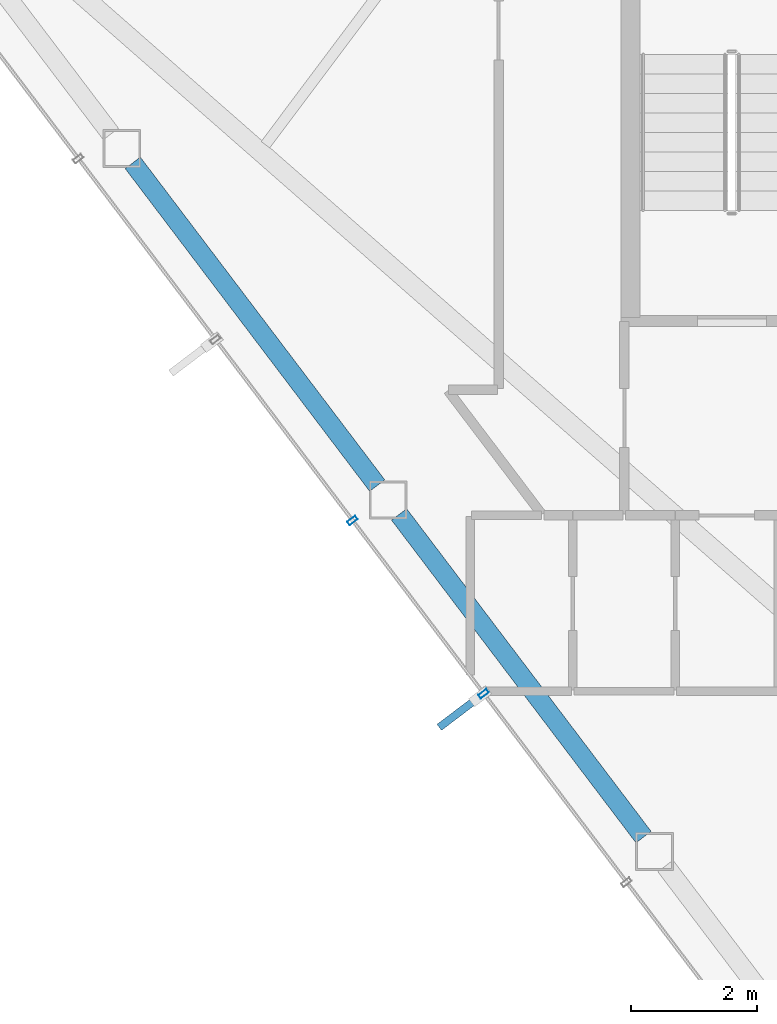
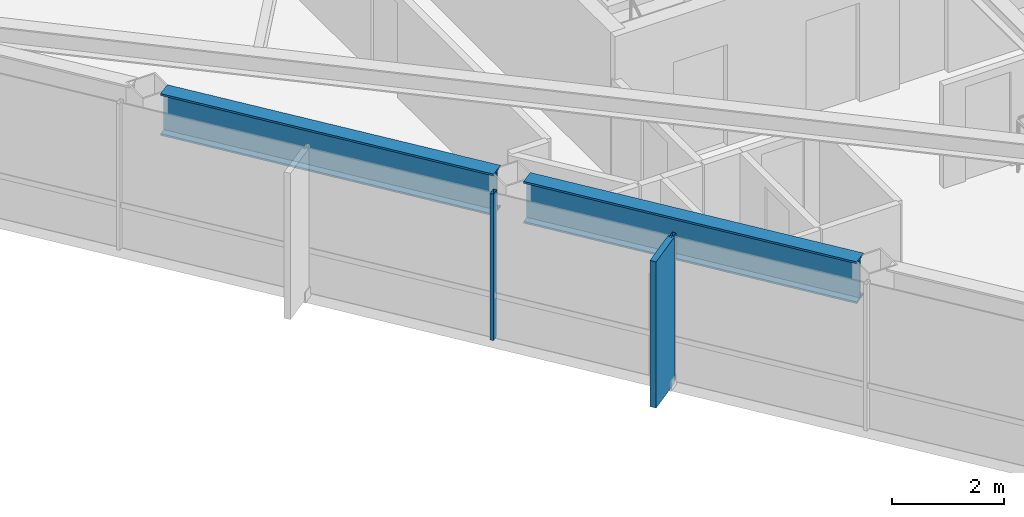
# One storey, part 3 of 25: 3 members, 2 beams, 1 element without a shape of its own.
"""IFC4 building model written with IfcOpenShell, lengths in metres."""

from ifc_helpers import new_model, si_unit, direction, frame, origin, origin_2d, place, context, subcontext, project, spatial, rectangle, hollow_rectangle, i_section, extrude, material, layer, layer_set, material_profile, profile_set, type_object, element, aggregate, save


model = new_model("IFC4")

# Units and contexts
model_context = context("Model", 3, precision=1e-05, world=origin(), true_north=direction((0.0, 1.0)))
body_context = subcontext(model_context, "Body", "Model", "MODEL_VIEW")
ifc_project = project(units=[si_unit("LENGTHUNIT", "METRE"), si_unit("AREAUNIT", "SQUARE_METRE"), si_unit("VOLUMEUNIT", "CUBIC_METRE"), si_unit("PLANEANGLEUNIT", "RADIAN"), si_unit("MASSUNIT", "GRAM", prefix="KILO")], contexts=[model_context])

# Site, building, storey
site_placement = place(None, origin())
site = spatial("IfcSite", under=ifc_project, at=site_placement, CompositionType="ELEMENT")
building_placement = place(site_placement, origin())
building = spatial("IfcBuilding", under=site, at=building_placement, Name="Zarrinselat Tower", CompositionType="ELEMENT")
storey_placement = place(building_placement, frame((0.0, 0.0, 242.760009765625)))
storey = spatial("IfcBuildingStorey", under=building, at=storey_placement, Name="L61", CompositionType="ELEMENT", Elevation=242.760009765625)

# Beams
ifc_material_1 = material(Name="Steel S460M", Category="steel")
ifc_material_profile_1 = material_profile(ifc_material_1, i_section(OverallWidth=0.302001953125, OverallDepth=0.909912109375, WebThickness=0.02099609375, FlangeThickness=0.0400390625, at=origin_2d()), Name="HEM 900")
ifc_profile_set_1 = profile_set([ifc_material_profile_1], Name="Steel S460M")
beam_type = type_object("IfcBeamType", Name="BM-HEM900", PredefinedType="BEAM", material=ifc_profile_set_1)
beam_1_placement = place(storey_placement, frame((20.732421875, 35.75537109375, 2.72509765625), z_axis=(0.603870099969, -0.797082744992, 0.0), x_axis=(0.797082744992, 0.603870099969, 0.0)))
element("IfcBeam", 1, at=beam_1_placement, inside=storey, type_object=beam_type, Name="L61 Perimeter Spandrel Girder SP07", PredefinedType="BEAM", context=body_context, shape_type="SweptSolid", body=[
    extrude(i_section(OverallWidth=0.302001953125, OverallDepth=0.909912109375, WebThickness=0.02099609375, FlangeThickness=0.0400390625, at=origin_2d()), origin(), (0.0, 0.0, 1.0), 6.43798828125),
])
beam_2_placement = place(storey_placement, frame((24.968017578125, 30.16455078125, 2.72509765625), z_axis=(0.603864259408, -0.797087169769, 0.0), x_axis=(0.797087169769, 0.603864259408, 0.0)))
element("IfcBeam", 2, at=beam_2_placement, inside=storey, type_object=beam_type, Name="L61 Perimeter Spandrel Girder SP08", PredefinedType="BEAM", context=body_context, shape_type="SweptSolid", body=[
    extrude(i_section(OverallWidth=0.302001953125, OverallDepth=0.909912109375, WebThickness=0.02099609375, FlangeThickness=0.0400390625, at=origin_2d()), origin(), (0.0, 0.0, 1.0), 6.437744140625),
])

# Curtain wall, members
ifc_material_2 = material(Name="Extruded Aluminium Alloy EN AW-6063 T6", Category="aluminium")
ifc_layer = layer(ifc_material_2, 0.169921875)
ifc_layer_set = layer_set([ifc_layer], Name="Extruded Aluminium Alloy EN AW-6063 T6")
curtain_wall_type = type_object("IfcCurtainWallType", Name="CWS-RES", PredefinedType="NOTDEFINED", material=ifc_layer_set)
curtain_wall_placement = place(storey_placement, origin())
curtain_wall = element("IfcCurtainWall", 3, at=curtain_wall_placement, inside=storey, type_object=curtain_wall_type, Name="L61 Unitised Curtain Wall CW-L61-E03", PredefinedType="NOTDEFINED")
ifc_material_3 = material(Name="Extruded Aluminium Alloy EN AW-6063 T6", Category="aluminium")
ifc_material_profile_2 = material_profile(ifc_material_3, hollow_rectangle(XDim=0.070068359375, YDim=0.159912109375, WallThickness=0.00390625, at=origin_2d()), Name="RHS 160x70x4")
ifc_profile_set_2 = profile_set([ifc_material_profile_2], Name="Extruded Aluminium Alloy EN AW-6063 T6")
member_type_1 = type_object("IfcMemberType", Name="MEM-CW-MUL2", PredefinedType="MULLION", material=ifc_profile_set_2)
member_1_placement = place(storey_placement, frame((24.224853515625, 30.069091796875, 0.0), z_axis=(0.0, 0.0, 1.0), x_axis=(0.603857888062, -0.797091996588, 0.0)))
member_1 = element("IfcMember", 4, at=member_1_placement, type_object=member_type_1, Name="CW-L61-E03 Mullion 4", PredefinedType="MULLION", context=body_context, shape_type="SweptSolid", body=[
    extrude(hollow_rectangle(XDim=0.070068359375, YDim=0.159912109375, WallThickness=0.00390625, at=origin_2d()), origin(), (0.0, 0.0, 1.0), 3.179931640625),
])
member_2_placement = place(storey_placement, frame((26.312255859375, 27.313720703125, 0.0), z_axis=(0.0, 0.0, 1.0), x_axis=(0.603857888062, -0.797091996588, 0.0)))
member_2 = element("IfcMember", 5, at=member_2_placement, type_object=member_type_1, Name="CW-L61-E03 Mullion 5", PredefinedType="MULLION", context=body_context, shape_type="SweptSolid", body=[
    extrude(hollow_rectangle(XDim=0.070068359375, YDim=0.159912109375, WallThickness=0.00390625, at=origin_2d()), origin(), (0.0, 0.0, 1.0), 3.179931640625),
])
ifc_material_4 = material(Name="Honed Cream Travertine Stone", Category="masonry")
ifc_material_profile_3 = material_profile(ifc_material_4, rectangle(XDim=0.1201171875, YDim=0.85009765625, at=origin_2d()), Name="FIN 850x120")
ifc_profile_set_3 = profile_set([ifc_material_profile_3], Name="Honed Cream Travertine Stone")
member_type_2 = type_object("IfcMemberType", Name="MEM-STONE-FIN", PredefinedType="USERDEFINED", material=ifc_profile_set_3)
member_3_placement = place(storey_placement, frame((25.945556640625, 27.035888671875, 0.0), z_axis=(0.0, 0.0, 1.0), x_axis=(-0.603857888062, 0.797091996588, 0.0)))
member_3 = element("IfcMember", 6, at=member_3_placement, type_object=member_type_2, Name="L61 Stone Shading Fin CW-L61-E03-05", ObjectType="FIN", PredefinedType="USERDEFINED", context=body_context, shape_type="SweptSolid", body=[
    extrude(rectangle(XDim=0.1201171875, YDim=0.85009765625, at=origin_2d()), origin(), (0.0, 0.0, 1.0), 3.179931640625),
])
aggregate(curtain_wall, [member_1, member_2, member_3])

save(model, "model.ifc")
